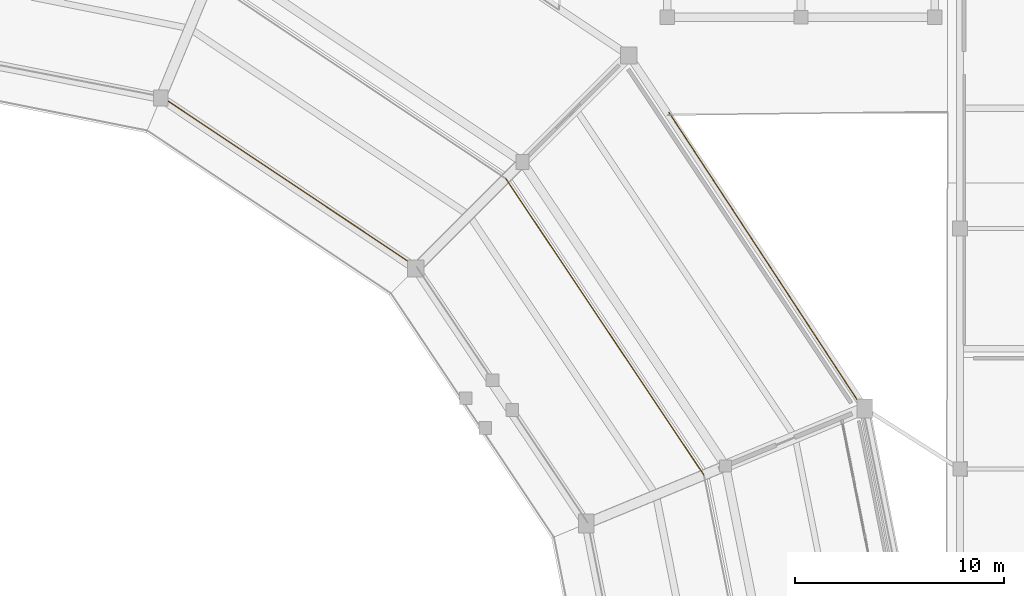
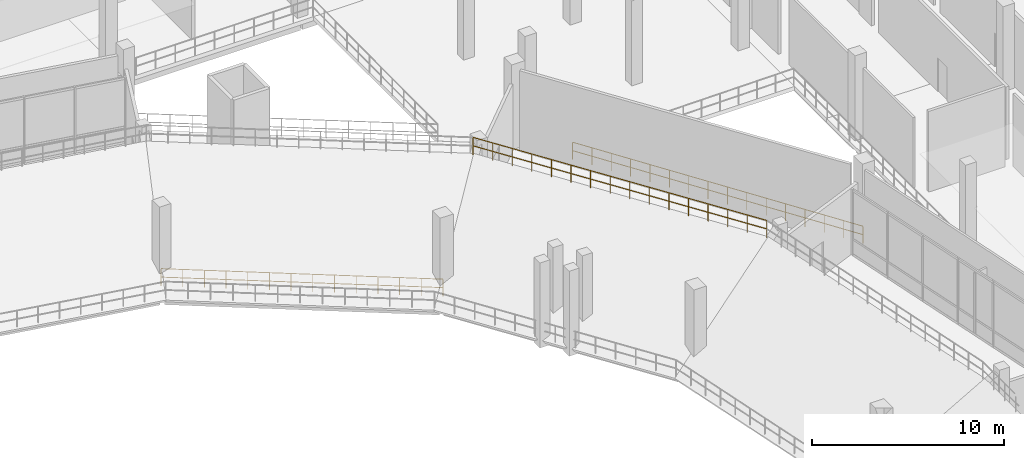
# One storey, part 116 of 127: 3 railings.
"""IFC4 building model written with IfcOpenShell, lengths in metres."""

from ifc_helpers import new_model, si_unit, direction, frame, origin, origin_2d, place, context, subcontext, project, spatial, circle, extrude, material, layer, layer_set, type_object, element, save


model = new_model("IFC4")

# Units and contexts
model_context = context("Model", 3, precision=1e-05, world=origin(), true_north=direction((0.0, 1.0)))
body_context = subcontext(model_context, "Body", "Model", "MODEL_VIEW")
ifc_project = project(units=[si_unit("LENGTHUNIT", "METRE"), si_unit("AREAUNIT", "SQUARE_METRE"), si_unit("VOLUMEUNIT", "CUBIC_METRE"), si_unit("PLANEANGLEUNIT", "RADIAN"), si_unit("MASSUNIT", "GRAM", prefix="KILO")], contexts=[model_context])

# Site, building, storey
site_placement = place(None, origin())
site = spatial("IfcSite", under=ifc_project, at=site_placement, CompositionType="ELEMENT")
building_placement = place(site_placement, origin())
building = spatial("IfcBuilding", under=site, at=building_placement, Name="Candeia Ridge Stadium", CompositionType="ELEMENT")
storey_placement = place(building_placement, frame((0.0, 0.0, 10.800048828125)))
storey = spatial("IfcBuildingStorey", under=building, at=storey_placement, Name="L02", CompositionType="ELEMENT", Elevation=10.800048828125)

# Railings
ifc_material = material(Name="Galvanized Powder-Coated Steel", Category="steel")
ifc_layer = layer(ifc_material, 0.074951171875, Name="Galvanized Powder-Coated Steel", Category="steel")
ifc_layer_set = layer_set([ifc_layer], Name="Galvanized Powder-Coated Steel")
railing_type = type_object("IfcRailingType", Name="Spectator Bowl Front Guardrail 1120", PredefinedType="GUARDRAIL", material=ifc_layer_set)
railing_1_placement = place(storey_placement, frame((181.35498046875, 111.715576171875, 4.949951171875)))
element("IfcRailing", 1, at=railing_1_placement, inside=storey, type_object=railing_type, Name="Stand T2 rear safety guardrail bay 34", PredefinedType="GUARDRAIL", context=body_context, shape_type="SweptSolid", body=[
    extrude(circle(Radius=0.02392578125, at=origin_2d()), frame((0.0, 0.0, 1.09619140625), z_axis=(-0.5555626979, 0.831474647059, 0.0), x_axis=(-0.831474647059, -0.5555626979, 0.0)), (0.0, 0.0, 1.0), 17.043212890625),
    extrude(circle(Radius=0.02392578125, at=origin_2d()), frame((0.0, 0.0, 0.56005859375), z_axis=(-0.5555626979, 0.831474647059, 0.0), x_axis=(-0.831474647059, -0.5555626979, 0.0)), (0.0, 0.0, 1.0), 17.043212890625),
    extrude(circle(Radius=0.02099609375, at=origin_2d()), origin(), (0.0, 0.0, 1.0), 1.072021484375),
    extrude(circle(Radius=0.02099609375, at=origin_2d()), frame((-0.63134765625, 0.94482421875, 0.0)), (0.0, 0.0, 1.0), 1.072021484375),
    extrude(circle(Radius=0.02099609375, at=origin_2d()), frame((-1.262451171875, 1.889404296875, 0.0)), (0.0, 0.0, 1.0), 1.072021484375),
    extrude(circle(Radius=0.02099609375, at=origin_2d()), frame((-1.893798828125, 2.834228515625, 0.0)), (0.0, 0.0, 1.0), 1.072021484375),
    extrude(circle(Radius=0.02099609375, at=origin_2d()), frame((-2.52490234375, 3.77880859375, 0.0)), (0.0, 0.0, 1.0), 1.072021484375),
    extrude(circle(Radius=0.02099609375, at=origin_2d()), frame((-3.15625, 4.7236328125, 0.0)), (0.0, 0.0, 1.0), 1.072021484375),
    extrude(circle(Radius=0.02099609375, at=origin_2d()), frame((-3.787353515625, 5.66845703125, 0.0)), (0.0, 0.0, 1.0), 1.072021484375),
    extrude(circle(Radius=0.02099609375, at=origin_2d()), frame((-4.418701171875, 6.613037109375, 0.0)), (0.0, 0.0, 1.0), 1.072021484375),
    extrude(circle(Radius=0.02099609375, at=origin_2d()), frame((-5.0498046875, 7.557861328125, 0.0)), (0.0, 0.0, 1.0), 1.072021484375),
    extrude(circle(Radius=0.02099609375, at=origin_2d()), frame((-5.68115234375, 8.50244140625, 0.0)), (0.0, 0.0, 1.0), 1.072021484375),
    extrude(circle(Radius=0.02099609375, at=origin_2d()), frame((-6.312255859375, 9.447265625, 0.0)), (0.0, 0.0, 1.0), 1.072021484375),
    extrude(circle(Radius=0.02099609375, at=origin_2d()), frame((-6.943603515625, 10.39208984375, 0.0)), (0.0, 0.0, 1.0), 1.072021484375),
    extrude(circle(Radius=0.02099609375, at=origin_2d()), frame((-7.57470703125, 11.336669921875, 0.0)), (0.0, 0.0, 1.0), 1.072021484375),
    extrude(circle(Radius=0.02099609375, at=origin_2d()), frame((-8.2060546875, 12.281494140625, 0.0)), (0.0, 0.0, 1.0), 1.072021484375),
    extrude(circle(Radius=0.02099609375, at=origin_2d()), frame((-8.837158203125, 13.22607421875, 0.0)), (0.0, 0.0, 1.0), 1.072021484375),
    extrude(circle(Radius=0.02099609375, at=origin_2d()), frame((-9.468505859375, 14.1708984375, 0.0)), (0.0, 0.0, 1.0), 1.072021484375),
])
railing_2_placement = place(storey_placement, frame((179.686767578125, 129.04443359375, 0.0)))
element("IfcRailing", 2, at=railing_2_placement, inside=storey, type_object=railing_type, Name="Deck edge safety guardrail GR-DE-L02-0073", PredefinedType="GUARDRAIL", context=body_context, shape_type="SweptSolid", body=[
    extrude(circle(Radius=0.02392578125, at=origin_2d()), frame((0.0, 0.0, 1.09619140625), z_axis=(0.547972672169, -0.836496234634, 0.0), x_axis=(0.836496234634, 0.547972672169, 0.0)), (0.0, 0.0, 1.0), 16.928466796875),
    extrude(circle(Radius=0.02392578125, at=origin_2d()), frame((0.0, 0.0, 0.56005859375), z_axis=(0.547972672169, -0.836496234634, 0.0), x_axis=(0.836496234634, 0.547972672169, 0.0)), (0.0, 0.0, 1.0), 16.928466796875),
    extrude(circle(Radius=0.02099609375, at=origin_2d()), origin(), (0.0, 0.0, 1.0), 1.072021484375),
    extrude(circle(Radius=0.02099609375, at=origin_2d()), frame((0.618408203125, -0.944091796875, 0.0)), (0.0, 0.0, 1.0), 1.072021484375),
    extrude(circle(Radius=0.02099609375, at=origin_2d()), frame((1.23681640625, -1.88818359375, 0.0)), (0.0, 0.0, 1.0), 1.072021484375),
    extrude(circle(Radius=0.02099609375, at=origin_2d()), frame((1.855224609375, -2.83203125, 0.0)), (0.0, 0.0, 1.0), 1.072021484375),
    extrude(circle(Radius=0.02099609375, at=origin_2d()), frame((2.4736328125, -3.776123046875, 0.0)), (0.0, 0.0, 1.0), 1.072021484375),
    extrude(circle(Radius=0.02099609375, at=origin_2d()), frame((3.092041015625, -4.72021484375, 0.0)), (0.0, 0.0, 1.0), 1.072021484375),
    extrude(circle(Radius=0.02099609375, at=origin_2d()), frame((3.71044921875, -5.664306640625, 0.0)), (0.0, 0.0, 1.0), 1.072021484375),
    extrude(circle(Radius=0.02099609375, at=origin_2d()), frame((4.328857421875, -6.6083984375, 0.0)), (0.0, 0.0, 1.0), 1.072021484375),
    extrude(circle(Radius=0.02099609375, at=origin_2d()), frame((4.947509765625, -7.55224609375, 0.0)), (0.0, 0.0, 1.0), 1.072021484375),
    extrude(circle(Radius=0.02099609375, at=origin_2d()), frame((5.56591796875, -8.496337890625, 0.0)), (0.0, 0.0, 1.0), 1.072021484375),
    extrude(circle(Radius=0.02099609375, at=origin_2d()), frame((6.184326171875, -9.4404296875, 0.0)), (0.0, 0.0, 1.0), 1.072021484375),
    extrude(circle(Radius=0.02099609375, at=origin_2d()), frame((6.802734375, -10.384521484375, 0.0)), (0.0, 0.0, 1.0), 1.072021484375),
    extrude(circle(Radius=0.02099609375, at=origin_2d()), frame((7.421142578125, -11.32861328125, 0.0)), (0.0, 0.0, 1.0), 1.072021484375),
    extrude(circle(Radius=0.02099609375, at=origin_2d()), frame((8.03955078125, -12.2724609375, 0.0)), (0.0, 0.0, 1.0), 1.072021484375),
    extrude(circle(Radius=0.02099609375, at=origin_2d()), frame((8.657958984375, -13.216552734375, 0.0)), (0.0, 0.0, 1.0), 1.072021484375),
    extrude(circle(Radius=0.02099609375, at=origin_2d()), frame((9.2763671875, -14.16064453125, 0.0)), (0.0, 0.0, 1.0), 1.072021484375),
])
railing_3_placement = place(storey_placement, frame((167.631591796875, 121.65380859375, 0.0)))
element("IfcRailing", 3, at=railing_3_placement, inside=storey, type_object=railing_type, Name="Deck edge safety guardrail GR-DE-L02-0098", PredefinedType="GUARDRAIL", context=body_context, shape_type="SweptSolid", body=[
    extrude(circle(Radius=0.02392578125, at=origin_2d()), frame((0.0, 0.0, 1.09619140625), z_axis=(-0.831697552907, 0.55522894421, 0.0), x_axis=(-0.55522894421, -0.831697552907, 0.0)), (0.0, 0.0, 1.0), 14.701416015625),
    extrude(circle(Radius=0.02392578125, at=origin_2d()), frame((0.0, 0.0, 0.56005859375), z_axis=(-0.831697552907, 0.55522894421, 0.0), x_axis=(-0.55522894421, -0.831697552907, 0.0)), (0.0, 0.0, 1.0), 14.701416015625),
    extrude(circle(Radius=0.02099609375, at=origin_2d()), origin(), (0.0, 0.0, 1.0), 1.072021484375),
    extrude(circle(Radius=0.02099609375, at=origin_2d()), frame((-0.9404296875, 0.6279296875, 0.0)), (0.0, 0.0, 1.0), 1.072021484375),
    extrude(circle(Radius=0.02099609375, at=origin_2d()), frame((-1.881103515625, 1.255859375, 0.0)), (0.0, 0.0, 1.0), 1.072021484375),
    extrude(circle(Radius=0.02099609375, at=origin_2d()), frame((-2.821533203125, 1.8837890625, 0.0)), (0.0, 0.0, 1.0), 1.072021484375),
    extrude(circle(Radius=0.02099609375, at=origin_2d()), frame((-3.76220703125, 2.511474609375, 0.0)), (0.0, 0.0, 1.0), 1.072021484375),
    extrude(circle(Radius=0.02099609375, at=origin_2d()), frame((-4.70263671875, 3.139404296875, 0.0)), (0.0, 0.0, 1.0), 1.072021484375),
    extrude(circle(Radius=0.02099609375, at=origin_2d()), frame((-5.643310546875, 3.767333984375, 0.0)), (0.0, 0.0, 1.0), 1.072021484375),
    extrude(circle(Radius=0.02099609375, at=origin_2d()), frame((-6.583740234375, 4.395263671875, 0.0)), (0.0, 0.0, 1.0), 1.072021484375),
    extrude(circle(Radius=0.02099609375, at=origin_2d()), frame((-7.5244140625, 5.023193359375, 0.0)), (0.0, 0.0, 1.0), 1.072021484375),
    extrude(circle(Radius=0.02099609375, at=origin_2d()), frame((-8.46484375, 5.651123046875, 0.0)), (0.0, 0.0, 1.0), 1.072021484375),
    extrude(circle(Radius=0.02099609375, at=origin_2d()), frame((-9.405517578125, 6.27880859375, 0.0)), (0.0, 0.0, 1.0), 1.072021484375),
    extrude(circle(Radius=0.02099609375, at=origin_2d()), frame((-10.345947265625, 6.90673828125, 0.0)), (0.0, 0.0, 1.0), 1.072021484375),
    extrude(circle(Radius=0.02099609375, at=origin_2d()), frame((-11.28662109375, 7.53466796875, 0.0)), (0.0, 0.0, 1.0), 1.072021484375),
    extrude(circle(Radius=0.02099609375, at=origin_2d()), frame((-12.22705078125, 8.16259765625, 0.0)), (0.0, 0.0, 1.0), 1.072021484375),
])

save(model, "model.ifc")
